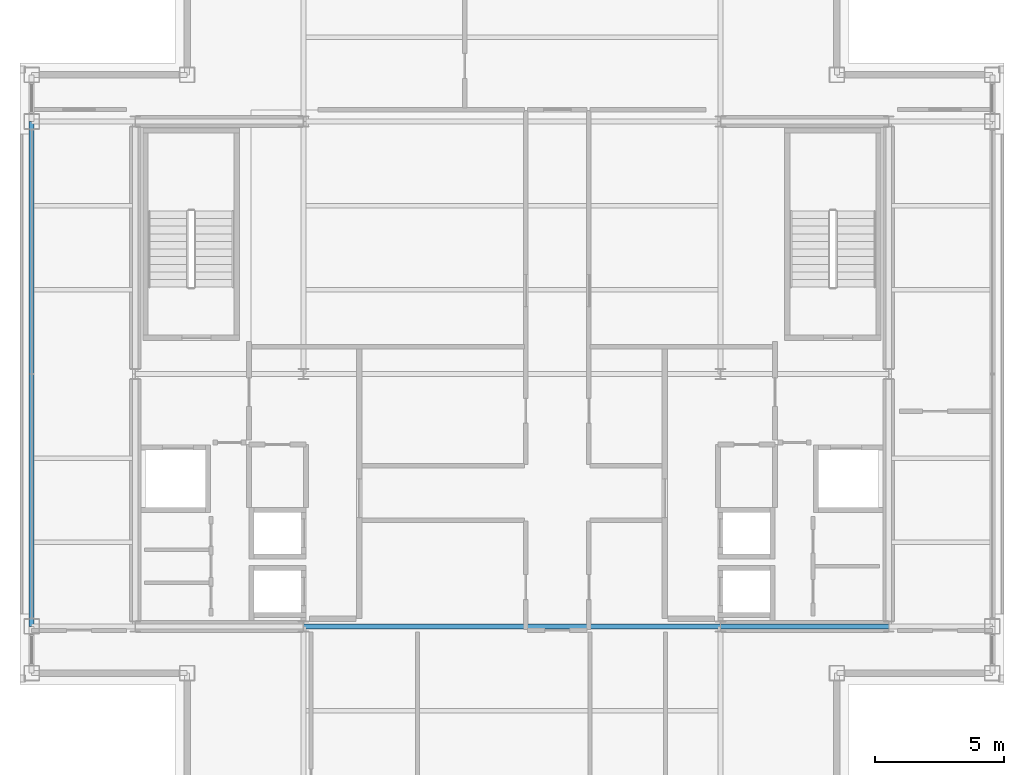
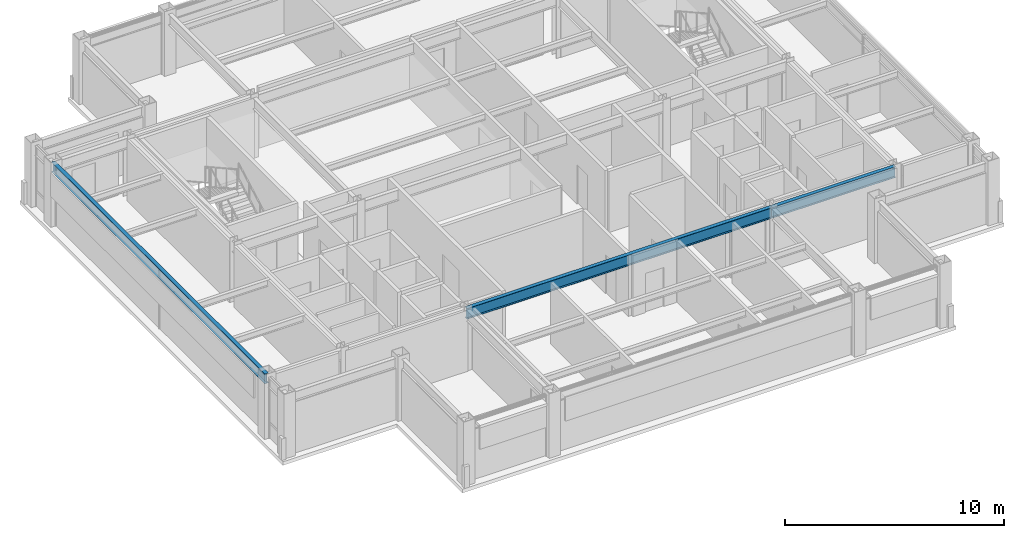
# One storey, part 5 of 20: 3 beams.
"""IFC4 building model written with IfcOpenShell, lengths in metres."""

from ifc_helpers import new_model, si_unit, direction, frame, origin, origin_2d, place, context, subcontext, project, spatial, i_section, extrude, material, material_profile, profile_set, type_object, element, save


model = new_model("IFC4")

# Units and contexts
model_context = context("Model", 3, precision=1e-05, world=origin(), true_north=direction((0.0, 1.0)))
body_context = subcontext(model_context, "Body", "Model", "MODEL_VIEW")
ifc_project = project(units=[si_unit("LENGTHUNIT", "METRE"), si_unit("AREAUNIT", "SQUARE_METRE"), si_unit("VOLUMEUNIT", "CUBIC_METRE"), si_unit("PLANEANGLEUNIT", "RADIAN"), si_unit("MASSUNIT", "GRAM", prefix="KILO")], contexts=[model_context])

# Site, building, storey
site_placement = place(None, origin())
site = spatial("IfcSite", under=ifc_project, at=site_placement, CompositionType="ELEMENT")
building_placement = place(site_placement, origin())
building = spatial("IfcBuilding", under=site, at=building_placement, Name="Brelmoor Portico Tower", CompositionType="ELEMENT")
storey_placement = place(building_placement, frame((0.0, 0.0, 272.39990234375)))
storey = spatial("IfcBuildingStorey", under=building, at=storey_placement, Name="L72", CompositionType="ELEMENT", Elevation=272.39990234375)

# Beams
ifc_material = material(Name="Steel Q355B", Category="steel")
ifc_material_profile_1 = material_profile(ifc_material, i_section(OverallWidth=0.199951171875, OverallDepth=0.60009765625, WebThickness=0.010986328125, FlangeThickness=0.01708984375, at=origin_2d()), Name="HN 600x200x11x17")
ifc_profile_set_1 = profile_set([ifc_material_profile_1], Name="Steel Q355B")
beam_type_1 = type_object("IfcBeamType", Name="BM-PG-600", PredefinedType="BEAM", material=ifc_profile_set_1)
beam_1_placement = place(storey_placement, frame((-8.050048828125, -9.75, 3.10009765625), z_axis=(1.0, 0.0, 0.0), x_axis=(0.0, 1.0, 0.0)))
element("IfcBeam", 1, at=beam_1_placement, inside=storey, type_object=beam_type_1, Name="L72 Primary Floor Girder PG-13", PredefinedType="BEAM", context=body_context, shape_type="SweptSolid", body=[
    extrude(i_section(OverallWidth=0.199951171875, OverallDepth=0.60009765625, WebThickness=0.010986328125, FlangeThickness=0.01708984375, at=origin_2d()), origin(), (0.0, 0.0, 1.0), 16.10009765625),
])
beam_2_placement = place(storey_placement, frame((8.050048828125, -9.75, 3.10009765625), z_axis=(1.0, 0.0, 0.0), x_axis=(0.0, 1.0, 0.0)))
element("IfcBeam", 2, at=beam_2_placement, inside=storey, type_object=beam_type_1, Name="L72 Primary Floor Girder PG-14", PredefinedType="BEAM", context=body_context, shape_type="SweptSolid", body=[
    extrude(i_section(OverallWidth=0.199951171875, OverallDepth=0.60009765625, WebThickness=0.010986328125, FlangeThickness=0.01708984375, at=origin_2d()), origin(), (0.0, 0.0, 1.0), 6.5),
])
ifc_material_profile_2 = material_profile(ifc_material, i_section(OverallWidth=0.199951171875, OverallDepth=0.550048828125, WebThickness=0.010009765625, FlangeThickness=0.01611328125, at=origin_2d()), Name="HN 550x200x10x16")
ifc_profile_set_2 = profile_set([ifc_material_profile_2], Name="Steel Q355B")
beam_type_2 = type_object("IfcBeamType", Name="BM-SP-550", PredefinedType="SPANDREL", material=ifc_profile_set_2)
beam_3_placement = place(storey_placement, frame((-18.550048828125, -9.75, 3.125), z_axis=(0.0, 1.0, 0.0), x_axis=(-1.0, 0.0, 0.0)))
element("IfcBeam", 3, at=beam_3_placement, inside=storey, type_object=beam_type_2, Name="L72 Perimeter Spandrel Beam SP-12", PredefinedType="SPANDREL", context=body_context, shape_type="SweptSolid", body=[
    extrude(i_section(OverallWidth=0.199951171875, OverallDepth=0.550048828125, WebThickness=0.010009765625, FlangeThickness=0.01611328125, at=origin_2d()), origin(), (0.0, 0.0, 1.0), 19.5),
])

save(model, "model.ifc")
